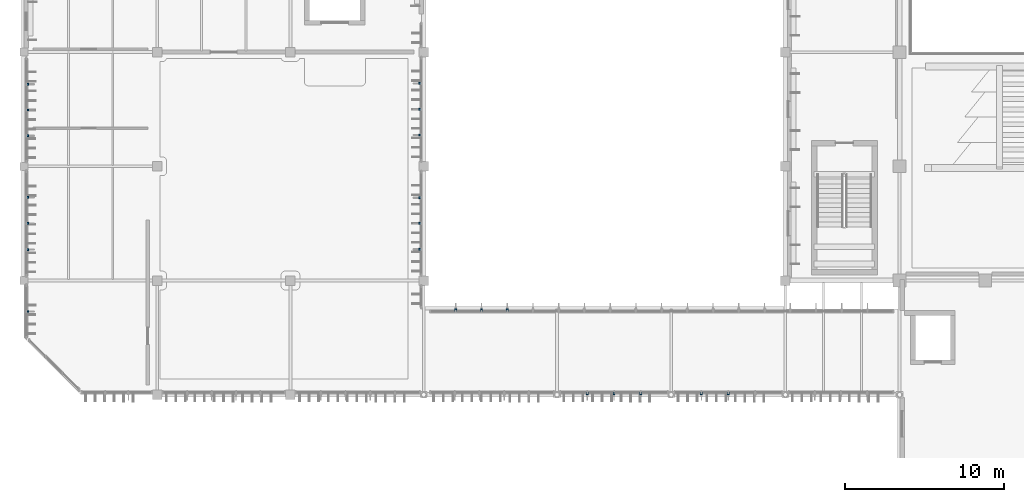
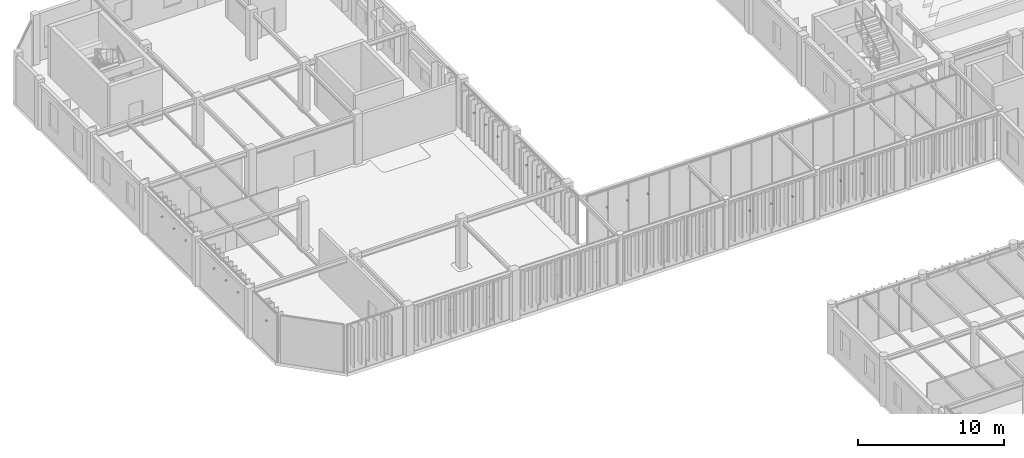
# One storey, part 50 of 104: 21 discrete accessories.
"""IFC4 building model written with IfcOpenShell, lengths in metres."""

import ifcopenshell
import ifcopenshell.guid

model = None  # the IFC model being written
_history = None  # IfcOwnerHistory: only IFC2X3 demands one
_inside = {}  # id of a spatial element -> (the spatial element, [elements in it])
_under = {}  # id of a project, library or spatial element -> (it, [spatial elements below it])
_declared = {}  # id of a project -> (the project, [libraries it declares])
_typed = {}  # id of a type object -> (the type object, [elements of that type])
_made_of = {}  # id of a material, layer set ... -> (it, [elements and type objects made of it])


def new_model(schema):
    """Start an empty IFC model of exactly this schema.

    Asked for "IFC4X3", IfcOpenShell would pick the latest addendum, in which some entities
    have other attributes; the version numbers below select the first issue.
    IFC2X3 requires an IfcOwnerHistory on every rooted entity: one is made here for all.
    """
    global model, _history
    if schema == "IFC4X3":
        model = ifcopenshell.file(schema_version=(4, 3, 0, 0))
    else:
        model = ifcopenshell.file(schema=schema)
    _inside.clear()
    _under.clear()
    _declared.clear()
    _typed.clear()
    _made_of.clear()
    _history = None
    if model.schema == "IFC2X3":
        org = make("IfcOrganization", Name="unknown")
        user = make(
            "IfcPersonAndOrganization",
            ThePerson=make("IfcPerson", FamilyName="unknown"),
            TheOrganization=org,
        )
        app = make(
            "IfcApplication",
            ApplicationDeveloper=org,
            Version="unknown",
            ApplicationFullName="unknown",
            ApplicationIdentifier="unknown",
        )
        _history = make(
            "IfcOwnerHistory",
            OwningUser=user,
            OwningApplication=app,
            ChangeAction="ADDED",
            CreationDate=0,
        )
    return model


def make(cls, **values):
    """One entity of the class cls with the attributes given. An attribute that is None is left unset."""
    return model.create_entity(
        cls, **{name: value for name, value in values.items() if value is not None}
    )


def rooted(cls, **values):
    """An entity with a GlobalId (a new one), such as an element, a storey or a relation."""
    return make(cls, GlobalId=ifcopenshell.guid.new(), OwnerHistory=_history, **values)


def si_unit(unit_type, name, prefix=None):
    """IfcSIUnit, for example si_unit("LENGTHUNIT", "METRE", prefix="MILLI")."""
    return make("IfcSIUnit", UnitType=unit_type, Prefix=prefix, Name=name)


def assignment(units):
    """IfcUnitAssignment: the units of a project."""
    return None if units is None else make("IfcUnitAssignment", Units=units)


def point(xyz):
    """IfcCartesianPoint."""
    return None if xyz is None else make("IfcCartesianPoint", Coordinates=xyz)


def direction(xyz):
    """IfcDirection."""
    return None if xyz is None else make("IfcDirection", DirectionRatios=xyz)


def frame(location, z_axis=None, x_axis=None):
    """IfcAxis2Placement3D, a coordinate frame: its origin and axes. An axis left out is left unset."""
    return make(
        "IfcAxis2Placement3D",
        Location=point(location),
        Axis=direction(z_axis),
        RefDirection=direction(x_axis),
    )


def frame_2d(location, x_axis=None):
    """IfcAxis2Placement2D, a coordinate frame in the plane: its origin and x axis."""
    return make(
        "IfcAxis2Placement2D", Location=point(location), RefDirection=direction(x_axis)
    )


def origin():
    """The frame at (0, 0, 0) with its axes left unset."""
    return frame((0.0, 0.0, 0.0))


def origin_2d():
    """The frame at (0, 0) in the plane with its x axis left unset."""
    return frame_2d((0.0, 0.0))


def place(relative_to, where):
    """IfcLocalPlacement: puts the frame where relative to a parent placement (None: the world)."""
    return make(
        "IfcLocalPlacement", PlacementRelTo=relative_to, RelativePlacement=where
    )


def context(
    kind, dimensions, precision=None, world=None, true_north=None, identifier=None
):
    """IfcGeometricRepresentationContext, for example the 3D "Model" context."""
    return make(
        "IfcGeometricRepresentationContext",
        ContextIdentifier=identifier,
        ContextType=kind,
        CoordinateSpaceDimension=dimensions,
        Precision=precision,
        WorldCoordinateSystem=world,
        TrueNorth=true_north,
    )


def subcontext(parent, identifier, kind, view, scale=None):
    """IfcGeometricRepresentationSubContext, for example "Body" below "Model"."""
    return make(
        "IfcGeometricRepresentationSubContext",
        ContextIdentifier=identifier,
        ContextType=kind,
        ParentContext=parent,
        TargetScale=scale,
        TargetView=view,
    )


def project(units=None, contexts=None):
    """IfcProject with its units and contexts."""
    return rooted(
        "IfcProject",
        Name="project",
        RepresentationContexts=contexts,
        UnitsInContext=assignment(units),
    )


def spatial(cls, under=None, at=None, **own):
    """A site, building, storey or space (cls), placed at a placement, below another one or the project."""
    s = rooted(cls, ObjectPlacement=at, **own)
    if under is not None:
        _under.setdefault(under.id(), (under, []))[1].append(s)
    return s


def profile(cls, at=None, kind="AREA", **sizes):
    """A parametric profile (cls). Its sizes go by their IFC names, for example OverallWidth=200.0."""
    return make(cls, ProfileType=kind, Position=at, **sizes)


def rectangle(**sizes):
    """IfcRectangleProfileDef."""
    return profile("IfcRectangleProfileDef", **sizes)


def extrude(swept, where, along, depth):
    """IfcExtrudedAreaSolid: the profile swept, set in the frame where, extruded along a direction by depth."""
    return make(
        "IfcExtrudedAreaSolid",
        SweptArea=swept,
        Position=where,
        ExtrudedDirection=direction(along),
        Depth=depth,
    )


def shape(context_of_items, identifier, shape_type, items):
    """IfcShapeRepresentation: the items that make up one representation, for example the "Body"."""
    return make(
        "IfcShapeRepresentation",
        ContextOfItems=context_of_items,
        RepresentationIdentifier=identifier,
        RepresentationType=shape_type,
        Items=items,
    )


def material(Name=None, Category=None):
    """IfcMaterial."""
    return make("IfcMaterial", Name=Name, Category=Category)


def made_of(thing, what):
    """Note that an element or type object is made of a material, layer set ...; save() writes the relation."""
    if what is not None:
        _made_of.setdefault(what.id(), (what, []))[1].append(thing)
    return thing


def type_object(cls, material=None, **own):
    """A type object (cls), such as IfcWallType, which elements share."""
    return made_of(rooted(cls, **own), material)


def element(
    cls,
    number,
    at=None,
    inside=None,
    cuts=None,
    type_object=None,
    material=None,
    context=None,
    identifier="Body",
    shape_type=None,
    held_by="IfcProductDefinitionShape",
    body=None,
    shapes=None,
    **own,
):
    """One element of the class cls, such as IfcWall. Its Tag is "e" and its number.

    at: its placement. inside: the storey or other place that contains it. cuts: it is an
    opening in that element (IfcRelVoidsElement). A single representation is given by context,
    identifier, shape_type and body (its items); several are given by shapes. held_by: the class
    of the entity that holds the representations. save() writes the other relations.
    """
    e = rooted(cls, Tag="e%d" % number, ObjectPlacement=at, **own)
    if body is not None:
        shapes = [shape(context, identifier, shape_type, body)]
    if shapes is not None:
        e.Representation = make(held_by, Representations=shapes)
    if inside is not None:
        _inside.setdefault(inside.id(), (inside, []))[1].append(e)
    if cuts is not None:
        rooted(
            "IfcRelVoidsElement", RelatingBuildingElement=cuts, RelatedOpeningElement=e
        )
    if type_object is not None:
        _typed.setdefault(type_object.id(), (type_object, []))[1].append(e)
    return made_of(e, material)


def aggregate(whole, parts):
    """IfcRelAggregates: a whole, such as a stair, and the parts it consists of."""
    return rooted("IfcRelAggregates", RelatingObject=whole, RelatedObjects=parts)


def save(model, path):
    """Write the relations noted so far, then the file.

    IfcRelAggregates (storeys below a building ...), IfcRelContainedInSpatialStructure (elements
    in a storey), IfcRelDefinesByType, IfcRelAssociatesMaterial and IfcRelDeclares: one each for
    every whole, place, type object, material and project.
    """
    for whole, parts in _under.values():
        aggregate(whole, parts)
    for where, things in _inside.values():
        rooted(
            "IfcRelContainedInSpatialStructure",
            RelatedElements=things,
            RelatingStructure=where,
        )
    for kind, things in _typed.values():
        rooted("IfcRelDefinesByType", RelatedObjects=things, RelatingType=kind)
    for what, things in _made_of.values():
        rooted("IfcRelAssociatesMaterial", RelatedObjects=things, RelatingMaterial=what)
    for by, libraries in _declared.values():
        rooted("IfcRelDeclares", RelatingContext=by, RelatedDefinitions=libraries)
    model.write(path)


model = new_model("IFC4")

# Units and contexts
model_context = context("Model", 3, precision=1e-05, world=origin(), true_north=direction((0.0, 1.0)))
body_context = subcontext(model_context, "Body", "Model", "MODEL_VIEW")
ifc_project = project(units=[si_unit("LENGTHUNIT", "METRE"), si_unit("AREAUNIT", "SQUARE_METRE"), si_unit("VOLUMEUNIT", "CUBIC_METRE"), si_unit("PLANEANGLEUNIT", "RADIAN"), si_unit("MASSUNIT", "GRAM", prefix="KILO")], contexts=[model_context])

# Site, building, storey
site_placement = place(None, origin())
site = spatial("IfcSite", under=ifc_project, at=site_placement, CompositionType="ELEMENT")
building_placement = place(site_placement, origin())
building = spatial("IfcBuilding", under=site, at=building_placement, Name="Tazoul Stagehouse", CompositionType="ELEMENT")
storey_placement = place(building_placement, frame((0.0, 0.0, 9.0)))
storey = spatial("IfcBuildingStorey", under=building, at=storey_placement, Name="L02", CompositionType="ELEMENT", Elevation=9.0)

# Discrete accessories
ifc_material = material(Name="Austenitic Stainless Steel EN 1.4401", Category="steel")
discrete_accessory_type = type_object("IfcDiscreteAccessoryType", Name="Stainless Steel Louvre Support Cleat Bracket", PredefinedType="BRACKET", material=ifc_material)
for number, where, z_axis, x_axis, name in (
    (1, (2.6298828125, 49.85009765625, 2.359130859375), (0.0, 0.0, 1.0), (0.0, 1.0, 0.0), "Cleat Bracket BRK-01 CW-V6-W1-L02-B1-BRK01"),
    (2, (2.6298828125, 53.75, 2.359130859375), (0.0, 0.0, 1.0), (0.0, 1.0, 0.0), "Cleat Bracket BRK-01 CW-V6-W1-L02-B2-BRK01"),
    (3, (2.6298828125, 55.39990234375, 2.359130859375), (0.0, 0.0, 1.0), (0.0, 1.0, 0.0), "Cleat Bracket BRK-01 CW-V6-W1-L02-B2-BRK02"),
    (4, (2.6298828125, 57.050048828125, 2.359130859375), (0.0, 0.0, 1.0), (0.0, 1.0, 0.0), "Cleat Bracket BRK-01 CW-V6-W1-L02-B2-BRK03"),
    (5, (2.6298828125, 60.925048828125, 2.359130859375), (0.0, 0.0, 1.0), (0.0, 1.0, 0.0), "Cleat Bracket BRK-01 CW-V6-W1-L02-B3-BRK01"),
    (6, (2.6298828125, 62.550048828125, 2.359130859375), (0.0, 0.0, 1.0), (0.0, 1.0, 0.0), "Cleat Bracket BRK-01 CW-V6-W1-L02-B3-BRK02"),
    (7, (2.6298828125, 64.175048828125, 2.359130859375), (0.0, 0.0, 1.0), (0.0, 1.0, 0.0), "Cleat Bracket BRK-01 CW-V6-W1-L02-B3-BRK03"),
    (8, (27.3701171875, 53.77490234375, 2.359130859375), (0.0, 0.0, 1.0), (0.0, 1.0, 0.0), "Cleat Bracket BRK-01 CW-V6-E1-L02-B2-BRK01"),
    (9, (27.3701171875, 55.39990234375, 2.359130859375), (0.0, 0.0, 1.0), (0.0, 1.0, 0.0), "Cleat Bracket BRK-01 CW-V6-E1-L02-B2-BRK02"),
    (10, (27.3701171875, 57.02490234375, 2.359130859375), (0.0, 0.0, 1.0), (0.0, 1.0, 0.0), "Cleat Bracket BRK-01 CW-V6-E1-L02-B2-BRK03"),
    (11, (27.3701171875, 60.97509765625, 2.359130859375), (0.0, 0.0, 1.0), (0.0, 1.0, 0.0), "Cleat Bracket BRK-01 CW-V6-E1-L02-B3-BRK01"),
    (12, (27.3701171875, 62.60009765625, 2.359130859375), (0.0, 0.0, 1.0), (0.0, 1.0, 0.0), "Cleat Bracket BRK-01 CW-V6-E1-L02-B3-BRK02"),
    (13, (27.3701171875, 64.22509765625, 2.359130859375), (0.0, 0.0, 1.0), (0.0, 1.0, 0.0), "Cleat Bracket BRK-01 CW-V6-E1-L02-B3-BRK03"),
    (14, (37.906005859375, 44.669921875, 2.3486328125), (0.0, 0.0, 1.0), (1.0, 0.0, 0.0), "Cleat Bracket BRK-01 CW-WLNK-S-L02-B2-BRK01"),
    (15, (39.60009765625, 44.669921875, 2.3486328125), (0.0, 0.0, 1.0), (1.0, 0.0, 0.0), "Cleat Bracket BRK-01 CW-WLNK-S-L02-B2-BRK02"),
    (16, (41.294189453125, 44.669921875, 2.3486328125), (0.0, 0.0, 1.0), (1.0, 0.0, 0.0), "Cleat Bracket BRK-01 CW-WLNK-S-L02-B2-BRK03"),
    (17, (45.10595703125, 44.669921875, 2.3486328125), (0.0, 0.0, 1.0), (1.0, 0.0, 0.0), "Cleat Bracket BRK-01 CW-WLNK-S-L02-B3-BRK01"),
    (18, (46.800048828125, 44.669921875, 2.3486328125), (0.0, 0.0, 1.0), (1.0, 0.0, 0.0), "Cleat Bracket BRK-01 CW-WLNK-S-L02-B3-BRK02"),
    (19, (29.622314453125, 49.929931640625, 2.3486328125), (0.0, 0.0, 1.0), (1.0, 0.0, 0.0), "Cleat Bracket BRK-01 CW-WLNK-N-L02-BRK01"),
    (20, (31.244384765625, 49.929931640625, 2.3486328125), (0.0, 0.0, 1.0), (1.0, 0.0, 0.0), "Cleat Bracket BRK-01 CW-WLNK-N-L02-BRK02"),
    (21, (32.86669921875, 49.929931640625, 2.3486328125), (0.0, 0.0, 1.0), (1.0, 0.0, 0.0), "Cleat Bracket BRK-01 CW-WLNK-N-L02-BRK03"),
):
    element("IfcDiscreteAccessory", number, at=place(storey_placement, frame(where, z_axis=z_axis, x_axis=x_axis)), inside=storey, type_object=discrete_accessory_type, Name=name, PredefinedType="BRACKET", context=body_context, shape_type="SweptSolid", body=[
        extrude(rectangle(XDim=0.1201171875, YDim=0.159912109375, at=origin_2d()), origin(), (0.0, 0.0, 1.0), 0.1201171875),
    ])

save(model, "model.ifc")
